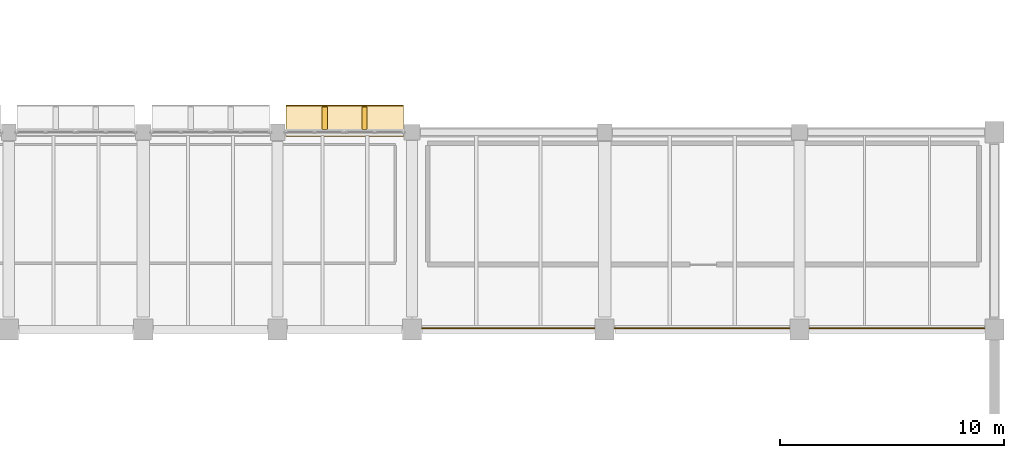
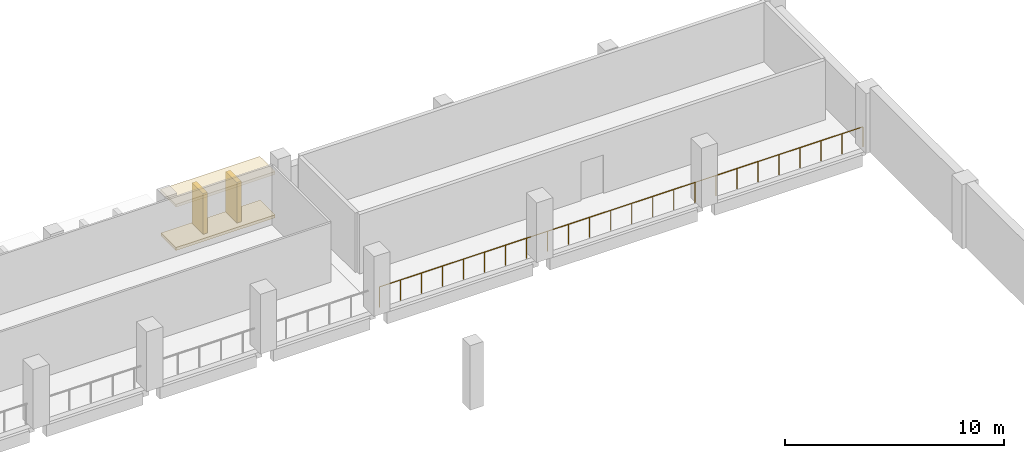
# One storey, part 75 of 75: 2 coverings, 2 shading devices, 1 railing.
"""IFC4 building model written with IfcOpenShell, lengths in metres."""

import ifcopenshell
import ifcopenshell.guid

model = None  # the IFC model being written
_history = None  # IfcOwnerHistory: only IFC2X3 demands one
_inside = {}  # id of a spatial element -> (the spatial element, [elements in it])
_under = {}  # id of a project, library or spatial element -> (it, [spatial elements below it])
_declared = {}  # id of a project -> (the project, [libraries it declares])
_typed = {}  # id of a type object -> (the type object, [elements of that type])
_made_of = {}  # id of a material, layer set ... -> (it, [elements and type objects made of it])


def new_model(schema):
    """Start an empty IFC model of exactly this schema.

    Asked for "IFC4X3", IfcOpenShell would pick the latest addendum, in which some entities
    have other attributes; the version numbers below select the first issue.
    IFC2X3 requires an IfcOwnerHistory on every rooted entity: one is made here for all.
    """
    global model, _history
    if schema == "IFC4X3":
        model = ifcopenshell.file(schema_version=(4, 3, 0, 0))
    else:
        model = ifcopenshell.file(schema=schema)
    _inside.clear()
    _under.clear()
    _declared.clear()
    _typed.clear()
    _made_of.clear()
    _history = None
    if model.schema == "IFC2X3":
        org = make("IfcOrganization", Name="unknown")
        user = make(
            "IfcPersonAndOrganization",
            ThePerson=make("IfcPerson", FamilyName="unknown"),
            TheOrganization=org,
        )
        app = make(
            "IfcApplication",
            ApplicationDeveloper=org,
            Version="unknown",
            ApplicationFullName="unknown",
            ApplicationIdentifier="unknown",
        )
        _history = make(
            "IfcOwnerHistory",
            OwningUser=user,
            OwningApplication=app,
            ChangeAction="ADDED",
            CreationDate=0,
        )
    return model


def make(cls, **values):
    """One entity of the class cls with the attributes given. An attribute that is None is left unset."""
    return model.create_entity(
        cls, **{name: value for name, value in values.items() if value is not None}
    )


def rooted(cls, **values):
    """An entity with a GlobalId (a new one), such as an element, a storey or a relation."""
    return make(cls, GlobalId=ifcopenshell.guid.new(), OwnerHistory=_history, **values)


def si_unit(unit_type, name, prefix=None):
    """IfcSIUnit, for example si_unit("LENGTHUNIT", "METRE", prefix="MILLI")."""
    return make("IfcSIUnit", UnitType=unit_type, Prefix=prefix, Name=name)


def assignment(units):
    """IfcUnitAssignment: the units of a project."""
    return None if units is None else make("IfcUnitAssignment", Units=units)


def point(xyz):
    """IfcCartesianPoint."""
    return None if xyz is None else make("IfcCartesianPoint", Coordinates=xyz)


def direction(xyz):
    """IfcDirection."""
    return None if xyz is None else make("IfcDirection", DirectionRatios=xyz)


def frame(location, z_axis=None, x_axis=None):
    """IfcAxis2Placement3D, a coordinate frame: its origin and axes. An axis left out is left unset."""
    return make(
        "IfcAxis2Placement3D",
        Location=point(location),
        Axis=direction(z_axis),
        RefDirection=direction(x_axis),
    )


def frame_2d(location, x_axis=None):
    """IfcAxis2Placement2D, a coordinate frame in the plane: its origin and x axis."""
    return make(
        "IfcAxis2Placement2D", Location=point(location), RefDirection=direction(x_axis)
    )


def origin():
    """The frame at (0, 0, 0) with its axes left unset."""
    return frame((0.0, 0.0, 0.0))


def origin_2d():
    """The frame at (0, 0) in the plane with its x axis left unset."""
    return frame_2d((0.0, 0.0))


def place(relative_to, where):
    """IfcLocalPlacement: puts the frame where relative to a parent placement (None: the world)."""
    return make(
        "IfcLocalPlacement", PlacementRelTo=relative_to, RelativePlacement=where
    )


def context(
    kind, dimensions, precision=None, world=None, true_north=None, identifier=None
):
    """IfcGeometricRepresentationContext, for example the 3D "Model" context."""
    return make(
        "IfcGeometricRepresentationContext",
        ContextIdentifier=identifier,
        ContextType=kind,
        CoordinateSpaceDimension=dimensions,
        Precision=precision,
        WorldCoordinateSystem=world,
        TrueNorth=true_north,
    )


def subcontext(parent, identifier, kind, view, scale=None):
    """IfcGeometricRepresentationSubContext, for example "Body" below "Model"."""
    return make(
        "IfcGeometricRepresentationSubContext",
        ContextIdentifier=identifier,
        ContextType=kind,
        ParentContext=parent,
        TargetScale=scale,
        TargetView=view,
    )


def project(units=None, contexts=None):
    """IfcProject with its units and contexts."""
    return rooted(
        "IfcProject",
        Name="project",
        RepresentationContexts=contexts,
        UnitsInContext=assignment(units),
    )


def spatial(cls, under=None, at=None, **own):
    """A site, building, storey or space (cls), placed at a placement, below another one or the project."""
    s = rooted(cls, ObjectPlacement=at, **own)
    if under is not None:
        _under.setdefault(under.id(), (under, []))[1].append(s)
    return s


def polyline(points):
    """IfcPolyline through the points."""
    return make("IfcPolyline", Points=[point(p) for p in points])


def profile(cls, at=None, kind="AREA", **sizes):
    """A parametric profile (cls). Its sizes go by their IFC names, for example OverallWidth=200.0."""
    return make(cls, ProfileType=kind, Position=at, **sizes)


def rectangle(**sizes):
    """IfcRectangleProfileDef."""
    return profile("IfcRectangleProfileDef", **sizes)


def circle(**sizes):
    """IfcCircleProfileDef."""
    return profile("IfcCircleProfileDef", **sizes)


def outline(outer, holes=None, kind="AREA"):
    """IfcArbitraryClosedProfileDef: a profile drawn as a closed curve; with holes, ...WithVoids."""
    if holes is None:
        return make("IfcArbitraryClosedProfileDef", ProfileType=kind, OuterCurve=outer)
    return make(
        "IfcArbitraryProfileDefWithVoids",
        ProfileType=kind,
        OuterCurve=outer,
        InnerCurves=holes,
    )


def extrude(swept, where, along, depth):
    """IfcExtrudedAreaSolid: the profile swept, set in the frame where, extruded along a direction by depth."""
    return make(
        "IfcExtrudedAreaSolid",
        SweptArea=swept,
        Position=where,
        ExtrudedDirection=direction(along),
        Depth=depth,
    )


def shape(context_of_items, identifier, shape_type, items):
    """IfcShapeRepresentation: the items that make up one representation, for example the "Body"."""
    return make(
        "IfcShapeRepresentation",
        ContextOfItems=context_of_items,
        RepresentationIdentifier=identifier,
        RepresentationType=shape_type,
        Items=items,
    )


def material(Name=None, Category=None):
    """IfcMaterial."""
    return make("IfcMaterial", Name=Name, Category=Category)


def layer(
    of_material, thickness, ventilated=None, Name=None, Category=None, Priority=None
):
    """IfcMaterialLayer: one layer of a wall or slab, of a material (None: an air gap)."""
    return make(
        "IfcMaterialLayer",
        Material=of_material,
        LayerThickness=thickness,
        IsVentilated=ventilated,
        Name=Name,
        Category=Category,
        Priority=Priority,
    )


def layer_set(layers, Name=None):
    """IfcMaterialLayerSet."""
    return make("IfcMaterialLayerSet", MaterialLayers=layers, LayerSetName=Name)


def made_of(thing, what):
    """Note that an element or type object is made of a material, layer set ...; save() writes the relation."""
    if what is not None:
        _made_of.setdefault(what.id(), (what, []))[1].append(thing)
    return thing


def type_object(cls, material=None, **own):
    """A type object (cls), such as IfcWallType, which elements share."""
    return made_of(rooted(cls, **own), material)


def element(
    cls,
    number,
    at=None,
    inside=None,
    cuts=None,
    type_object=None,
    material=None,
    context=None,
    identifier="Body",
    shape_type=None,
    held_by="IfcProductDefinitionShape",
    body=None,
    shapes=None,
    **own,
):
    """One element of the class cls, such as IfcWall. Its Tag is "e" and its number.

    at: its placement. inside: the storey or other place that contains it. cuts: it is an
    opening in that element (IfcRelVoidsElement). A single representation is given by context,
    identifier, shape_type and body (its items); several are given by shapes. held_by: the class
    of the entity that holds the representations. save() writes the other relations.
    """
    e = rooted(cls, Tag="e%d" % number, ObjectPlacement=at, **own)
    if body is not None:
        shapes = [shape(context, identifier, shape_type, body)]
    if shapes is not None:
        e.Representation = make(held_by, Representations=shapes)
    if inside is not None:
        _inside.setdefault(inside.id(), (inside, []))[1].append(e)
    if cuts is not None:
        rooted(
            "IfcRelVoidsElement", RelatingBuildingElement=cuts, RelatedOpeningElement=e
        )
    if type_object is not None:
        _typed.setdefault(type_object.id(), (type_object, []))[1].append(e)
    return made_of(e, material)


def aggregate(whole, parts):
    """IfcRelAggregates: a whole, such as a stair, and the parts it consists of."""
    return rooted("IfcRelAggregates", RelatingObject=whole, RelatedObjects=parts)


def save(model, path):
    """Write the relations noted so far, then the file.

    IfcRelAggregates (storeys below a building ...), IfcRelContainedInSpatialStructure (elements
    in a storey), IfcRelDefinesByType, IfcRelAssociatesMaterial and IfcRelDeclares: one each for
    every whole, place, type object, material and project.
    """
    for whole, parts in _under.values():
        aggregate(whole, parts)
    for where, things in _inside.values():
        rooted(
            "IfcRelContainedInSpatialStructure",
            RelatedElements=things,
            RelatingStructure=where,
        )
    for kind, things in _typed.values():
        rooted("IfcRelDefinesByType", RelatedObjects=things, RelatingType=kind)
    for what, things in _made_of.values():
        rooted("IfcRelAssociatesMaterial", RelatedObjects=things, RelatingMaterial=what)
    for by, libraries in _declared.values():
        rooted("IfcRelDeclares", RelatingContext=by, RelatedDefinitions=libraries)
    model.write(path)


model = new_model("IFC4")

# Units and contexts
model_context = context("Model", 3, precision=1e-05, world=origin(), true_north=direction((0.0, 1.0)))
body_context = subcontext(model_context, "Body", "Model", "MODEL_VIEW")
ifc_project = project(units=[si_unit("LENGTHUNIT", "METRE"), si_unit("AREAUNIT", "SQUARE_METRE"), si_unit("VOLUMEUNIT", "CUBIC_METRE"), si_unit("PLANEANGLEUNIT", "RADIAN"), si_unit("MASSUNIT", "GRAM", prefix="KILO")], contexts=[model_context])

# Site, building, storey
site_placement = place(None, origin())
site = spatial("IfcSite", under=ifc_project, at=site_placement, CompositionType="ELEMENT")
building_placement = place(site_placement, origin())
building = spatial("IfcBuilding", under=site, at=building_placement, Name="Varnakota Cinema and Media Centre", CompositionType="ELEMENT")
storey_placement = place(building_placement, frame((0.0, 0.0, 8.39990234375)))
storey = spatial("IfcBuildingStorey", under=building, at=storey_placement, Name="L02", CompositionType="ELEMENT", Elevation=8.39990234375)

# Coverings
ifc_material_1 = material(Name="Precast concrete M40", Category="concrete")
ifc_layer_1 = layer(ifc_material_1, 0.159912109375)
ifc_layer_set_1 = layer_set([ifc_layer_1], Name="Precast concrete M40")
covering_type = type_object("IfcCoveringType", Name="COV-CHAJJA-160", PredefinedType="CLADDING", material=ifc_layer_set_1)
covering_1_placement = place(storey_placement, frame((0.0, 0.0, 2.4150390625)))
element("IfcCovering", 1, at=covering_1_placement, inside=storey, type_object=covering_type, Name="L02 Brutalist chajja overhang V1-N-10", PredefinedType="CLADDING", context=body_context, shape_type="SweptSolid", body=[
    extrude(outline(polyline([(129.364990234375, 43.820068359375), (134.610107421875, 43.820068359375), (134.610107421875, 45.219970703125), (129.364990234375, 45.219970703125), (129.364990234375, 43.820068359375)])), origin(), (0.0, 0.0, 1.0), 0.16015625),
])
covering_2_placement = place(storey_placement, origin())
element("IfcCovering", 2, at=covering_2_placement, inside=storey, type_object=covering_type, Name="L02 brise-soleil base plinth V1-N-10", PredefinedType="CLADDING", context=body_context, shape_type="SweptSolid", body=[
    extrude(outline(polyline([(129.364990234375, 43.820068359375), (134.610107421875, 43.820068359375), (134.610107421875, 45.179931640625), (129.364990234375, 45.179931640625), (129.364990234375, 43.820068359375)])), origin(), (0.0, 0.0, 1.0), 0.16015625),
])

# Railing
ifc_material_2 = material(Name="Anodised golden-bronze steel Grade 350 (E350)", Category="steel")
ifc_layer_2 = layer(ifc_material_2, 0.050048828125)
ifc_layer_set_2 = layer_set([ifc_layer_2], Name="Anodised golden-bronze steel Grade 350 (E350)")
railing_type = type_object("IfcRailingType", Name="RAIL-GUARD-1150", PredefinedType="BALUSTRADE", material=ifc_layer_set_2)
railing_placement = place(storey_placement, frame((135.179931640625, 35.260009765625, 0.0)))
element("IfcRailing", 3, at=railing_placement, inside=storey, type_object=railing_type, Name="L02 guard balustrade GRD-L02-V2GAL-1", PredefinedType="BALUSTRADE", context=body_context, shape_type="SweptSolid", body=[
    extrude(circle(Radius=0.02392578125, at=origin_2d()), frame((0.0, 0.0, 1.1259765625), z_axis=(1.0, 0.0, 0.0), x_axis=(0.0, 1.0, 0.0)), (0.0, 0.0, 1.0), 25.5400390625),
    extrude(circle(Radius=0.02099609375, at=origin_2d()), origin(), (0.0, 0.0, 1.0), 1.101806640625),
    extrude(circle(Radius=0.02099609375, at=origin_2d()), frame((1.1103515625, 0.0, 0.0)), (0.0, 0.0, 1.0), 1.101806640625),
    extrude(circle(Radius=0.02099609375, at=origin_2d()), frame((2.220947265625, 0.0, 0.0)), (0.0, 0.0, 1.0), 1.101806640625),
    extrude(circle(Radius=0.02099609375, at=origin_2d()), frame((3.331298828125, 0.0, 0.0)), (0.0, 0.0, 1.0), 1.101806640625),
    extrude(circle(Radius=0.02099609375, at=origin_2d()), frame((4.441650390625, 0.0, 0.0)), (0.0, 0.0, 1.0), 1.101806640625),
    extrude(circle(Radius=0.02099609375, at=origin_2d()), frame((5.55224609375, 0.0, 0.0)), (0.0, 0.0, 1.0), 1.101806640625),
    extrude(circle(Radius=0.02099609375, at=origin_2d()), frame((6.66259765625, 0.0, 0.0)), (0.0, 0.0, 1.0), 1.101806640625),
    extrude(circle(Radius=0.02099609375, at=origin_2d()), frame((7.77294921875, 0.0, 0.0)), (0.0, 0.0, 1.0), 1.101806640625),
    extrude(circle(Radius=0.02099609375, at=origin_2d()), frame((8.883544921875, 0.0, 0.0)), (0.0, 0.0, 1.0), 1.101806640625),
    extrude(circle(Radius=0.02099609375, at=origin_2d()), frame((9.993896484375, 0.0, 0.0)), (0.0, 0.0, 1.0), 1.101806640625),
    extrude(circle(Radius=0.02099609375, at=origin_2d()), frame((11.104248046875, 0.0, 0.0)), (0.0, 0.0, 1.0), 1.101806640625),
    extrude(circle(Radius=0.02099609375, at=origin_2d()), frame((12.21484375, 0.0, 0.0)), (0.0, 0.0, 1.0), 1.101806640625),
    extrude(circle(Radius=0.02099609375, at=origin_2d()), frame((13.3251953125, 0.0, 0.0)), (0.0, 0.0, 1.0), 1.101806640625),
    extrude(circle(Radius=0.02099609375, at=origin_2d()), frame((14.435791015625, 0.0, 0.0)), (0.0, 0.0, 1.0), 1.101806640625),
    extrude(circle(Radius=0.02099609375, at=origin_2d()), frame((15.546142578125, 0.0, 0.0)), (0.0, 0.0, 1.0), 1.101806640625),
    extrude(circle(Radius=0.02099609375, at=origin_2d()), frame((16.656494140625, 0.0, 0.0)), (0.0, 0.0, 1.0), 1.101806640625),
    extrude(circle(Radius=0.02099609375, at=origin_2d()), frame((17.76708984375, 0.0, 0.0)), (0.0, 0.0, 1.0), 1.101806640625),
    extrude(circle(Radius=0.02099609375, at=origin_2d()), frame((18.87744140625, 0.0, 0.0)), (0.0, 0.0, 1.0), 1.101806640625),
    extrude(circle(Radius=0.02099609375, at=origin_2d()), frame((19.98779296875, 0.0, 0.0)), (0.0, 0.0, 1.0), 1.101806640625),
    extrude(circle(Radius=0.02099609375, at=origin_2d()), frame((21.098388671875, 0.0, 0.0)), (0.0, 0.0, 1.0), 1.101806640625),
    extrude(circle(Radius=0.02099609375, at=origin_2d()), frame((22.208740234375, 0.0, 0.0)), (0.0, 0.0, 1.0), 1.101806640625),
    extrude(circle(Radius=0.02099609375, at=origin_2d()), frame((23.319091796875, 0.0, 0.0)), (0.0, 0.0, 1.0), 1.101806640625),
    extrude(circle(Radius=0.02099609375, at=origin_2d()), frame((24.4296875, 0.0, 0.0)), (0.0, 0.0, 1.0), 1.101806640625),
    extrude(circle(Radius=0.02099609375, at=origin_2d()), frame((25.5400390625, 0.0, 0.0)), (0.0, 0.0, 1.0), 1.101806640625),
])

# Shading devices
ifc_material_3 = material(Name="Precast concrete M40", Category="concrete")
shading_device_type = type_object("IfcShadingDeviceType", Name="SHD-BRISE-FIN-240", PredefinedType="JALOUSIE", material=ifc_material_3)
for number, where, z_axis, x_axis, name in (
    (4, (131.10009765625, 44.6298828125, 0.150146484375), (0.0, 0.0, 1.0), (1.0, 0.0, 0.0), "L02 vertical concrete brise-soleil fin V1-N-10.1"),
    (5, (132.875, 44.6298828125, 0.150146484375), (0.0, 0.0, 1.0), (1.0, 0.0, 0.0), "L02 vertical concrete brise-soleil fin V1-N-10.2"),
):
    element("IfcShadingDevice", number, at=place(storey_placement, frame(where, z_axis=z_axis, x_axis=x_axis)), inside=storey, type_object=shading_device_type, Name=name, PredefinedType="JALOUSIE", context=body_context, shape_type="SweptSolid", body=[
        extrude(rectangle(XDim=0.239990234375, YDim=1.02001953125, at=origin_2d()), origin(), (0.0, 0.0, 1.0), 2.27490234375),
    ])

save(model, "model.ifc")
